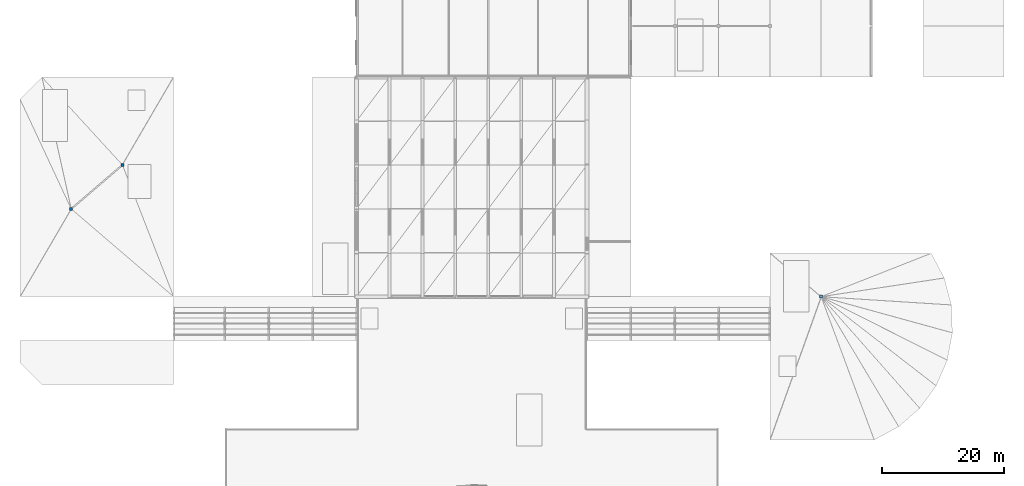
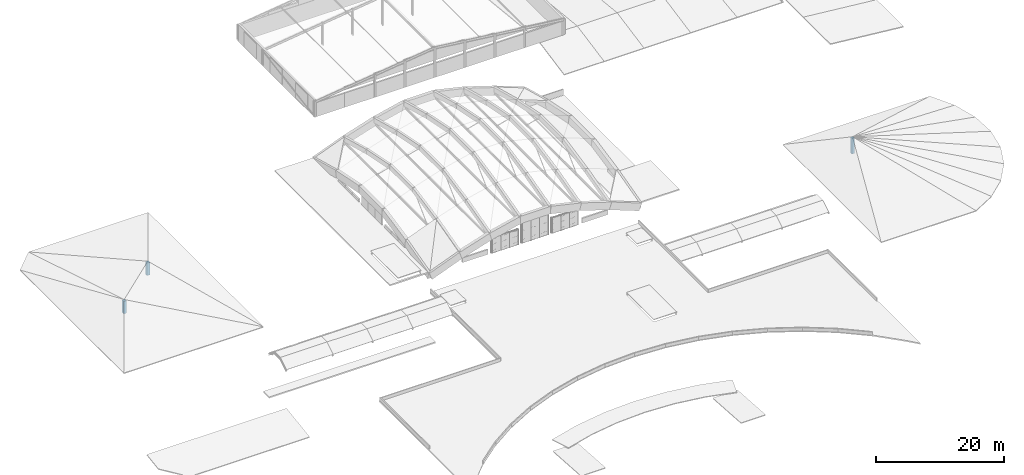
# One storey, part 1 of 27: 3 columns.
"""IFC4 building model written with IfcOpenShell, lengths in metres."""

from ifc_helpers import new_model, si_unit, direction, frame, origin, origin_2d, place, context, subcontext, project, spatial, rectangle, extrude, material, material_profile, profile_set, type_object, element, save


model = new_model("IFC4")

# Units and contexts
model_context = context("Model", 3, precision=1e-05, world=origin(), true_north=direction((0.0, 1.0)))
body_context = subcontext(model_context, "Body", "Model", "MODEL_VIEW")
ifc_project = project(units=[si_unit("LENGTHUNIT", "METRE"), si_unit("AREAUNIT", "SQUARE_METRE"), si_unit("VOLUMEUNIT", "CUBIC_METRE"), si_unit("PLANEANGLEUNIT", "RADIAN"), si_unit("MASSUNIT", "GRAM", prefix="KILO")], contexts=[model_context])

# Site, building, storey
site_placement = place(None, origin())
site = spatial("IfcSite", under=ifc_project, at=site_placement, CompositionType="ELEMENT")
building_placement = place(site_placement, origin())
building = spatial("IfcBuilding", under=site, at=building_placement, Name="Tazoul Stagehouse", CompositionType="ELEMENT")
storey_placement = place(building_placement, frame((0.0, 0.0, 24.89990234375)))
storey = spatial("IfcBuildingStorey", under=building, at=storey_placement, Name="RF", CompositionType="ELEMENT", Elevation=24.89990234375)

# Columns
ifc_material = material(Name="Concrete C40/50", Category="concrete")
ifc_material_profile = material_profile(ifc_material, rectangle(XDim=0.5, YDim=0.5, at=origin_2d()), Name="RC 500x500")
ifc_profile_set = profile_set([ifc_material_profile], Name="Concrete C40/50")
column_type = type_object("IfcColumnType", Name="RC Column 500x500", PredefinedType="COLUMN", material=ifc_profile_set)
column_placement = place(storey_placement, frame((133.800048828125, 51.800048828125, -11.83984375), z_axis=(0.0, 0.0, 1.0), x_axis=(1.0, 0.0, 0.0)))
element("IfcColumn", 1, at=column_placement, inside=storey, type_object=column_type, Name="RF Conical Studio Apex Column C-02 (20/H)", PredefinedType="COLUMN", context=body_context, shape_type="SweptSolid", body=[
    extrude(rectangle(XDim=0.5, YDim=0.5, at=origin_2d()), origin(), (0.0, 0.0, 1.0), 2.9599609375),
])
for number, where, z_axis, x_axis, name in (
    (2, (10.800048828125, 66.199951171875, -7.989990234375), (0.0, 0.0, 1.0), (1.0, 0.0, 0.0), "RF Black-Box Diagrid Ridge Column C-02 (2/K)"),
    (3, (19.199951171875, 73.39990234375, -7.989990234375), (0.0, 0.0, 1.0), (1.0, 0.0, 0.0), "RF Black-Box Diagrid Ridge Column C-02 (3/L)"),
):
    element("IfcColumn", number, at=place(storey_placement, frame(where, z_axis=z_axis, x_axis=x_axis)), inside=storey, type_object=column_type, Name=name, PredefinedType="COLUMN", context=body_context, shape_type="SweptSolid", body=[
        extrude(rectangle(XDim=0.5, YDim=0.5, at=origin_2d()), origin(), (0.0, 0.0, 1.0), 2.39013671875),
    ])

save(model, "model.ifc")
